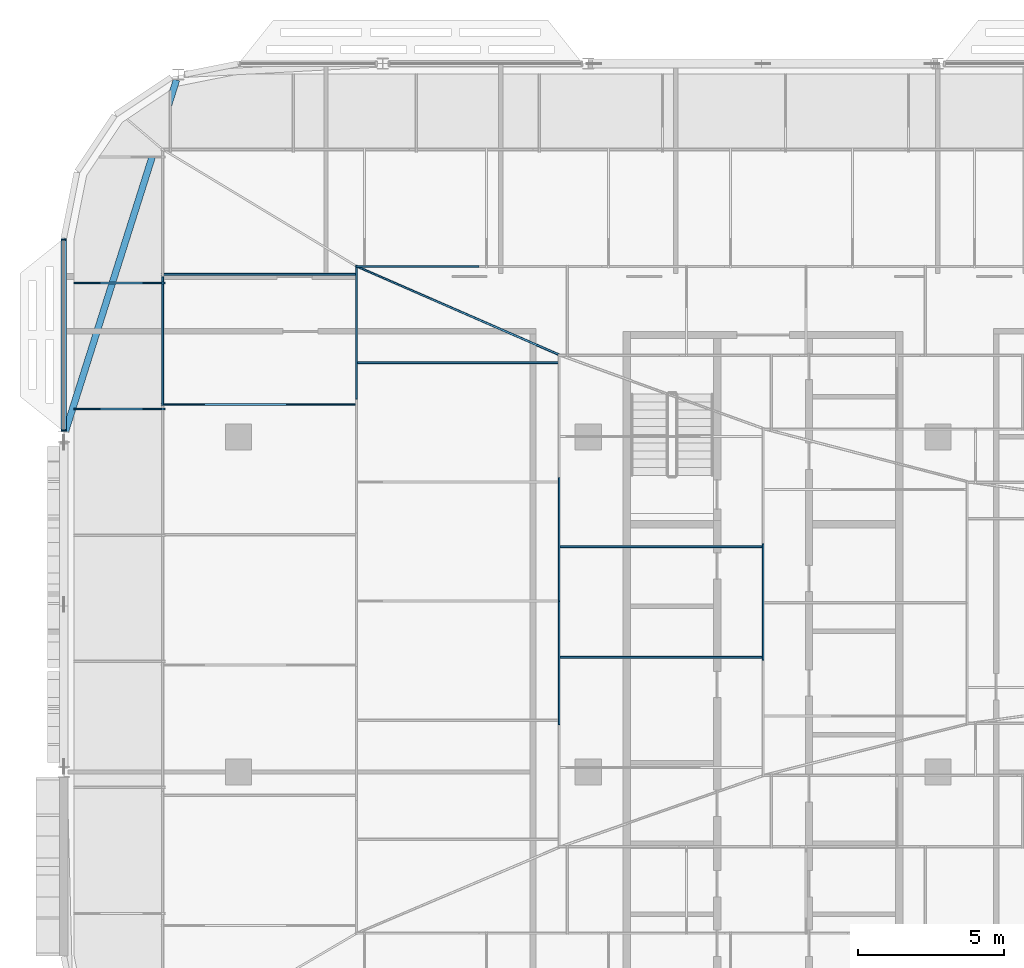
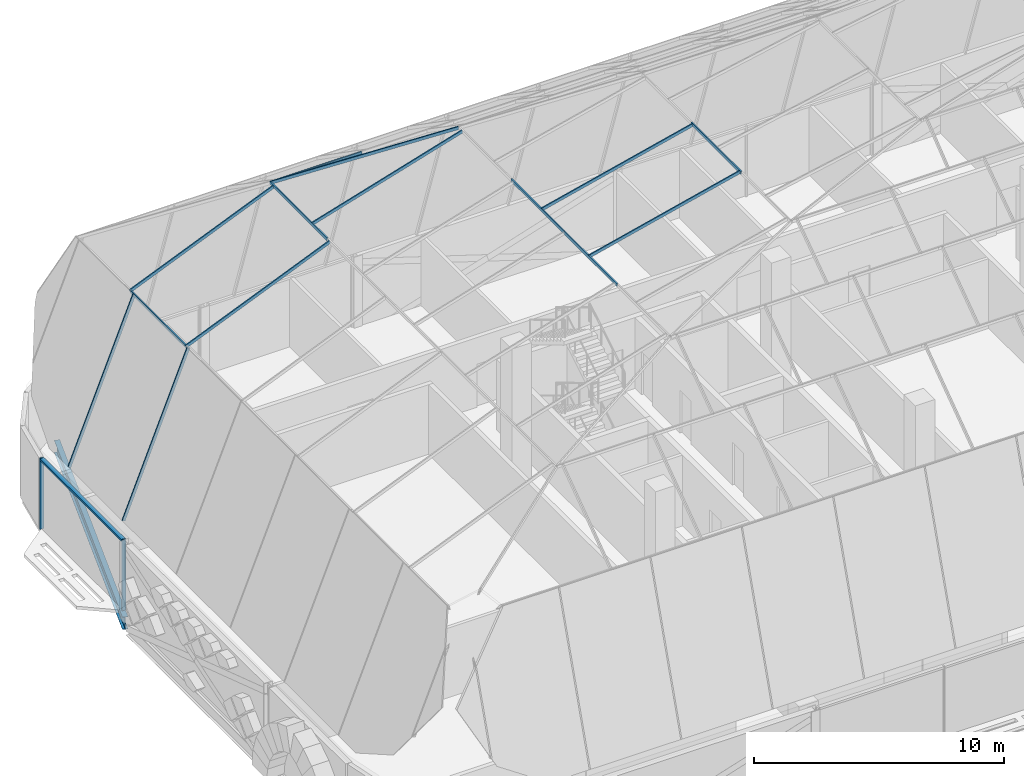
# One storey, part 7 of 39: 17 members, 1 beam, 7 elements without a shape of their own.
"""IFC4 building model written with IfcOpenShell, lengths in metres."""

from ifc_helpers import new_model, si_unit, direction, frame, origin, origin_2d, place, context, subcontext, project, spatial, rectangle, i_section, extrude, material, material_profile, profile_set, type_object, element, aggregate, save


model = new_model("IFC4")

# Units and contexts
model_context = context("Model", 3, precision=1e-05, world=origin(), true_north=direction((0.0, 1.0)))
body_context = subcontext(model_context, "Body", "Model", "MODEL_VIEW")
ifc_project = project(units=[si_unit("LENGTHUNIT", "METRE"), si_unit("AREAUNIT", "SQUARE_METRE"), si_unit("VOLUMEUNIT", "CUBIC_METRE"), si_unit("PLANEANGLEUNIT", "RADIAN"), si_unit("MASSUNIT", "GRAM", prefix="KILO")], contexts=[model_context])

# Site, building, storey
site_placement = place(None, origin())
site = spatial("IfcSite", under=ifc_project, at=site_placement, CompositionType="ELEMENT")
building_placement = place(site_placement, origin())
building = spatial("IfcBuilding", under=site, at=building_placement, Name="Mahtab Terrace Research Tower", CompositionType="ELEMENT")
storey_placement = place(building_placement, frame((0.0, 0.0, 282.300048828125)))
storey = spatial("IfcBuildingStorey", under=building, at=storey_placement, Name="L69", CompositionType="ELEMENT", Elevation=282.300048828125)

# Curtain wall, members
ifc_material_1 = material(Name="Crown faceted glass roof")
curtain_wall_type_1 = type_object("IfcCurtainWallType", Name="Crown faceted glass roof", PredefinedType="NOTDEFINED", material=ifc_material_1)
curtain_wall_1_placement = place(storey_placement, origin())
curtain_wall_1 = element("IfcCurtainWall", 1, at=curtain_wall_1_placement, inside=storey, type_object=curtain_wall_type_1, Name="CROWN.W0", PredefinedType="NOTDEFINED")
ifc_material_2 = material(Name="Natural anodised aluminium", Category="aluminium")
ifc_material_profile_1 = material_profile(ifc_material_2, rectangle(XDim=0.06005859375, YDim=0.139892578125, at=origin_2d()), Name="MULLION 60x140")
ifc_profile_set_1 = profile_set([ifc_material_profile_1], Name="Natural anodised aluminium")
member_type_1 = type_object("IfcMemberType", Name="Crown faceted glass roof mullion", PredefinedType="MULLION", material=ifc_profile_set_1)
member_1_placement = place(storey_placement, frame((-47.585205078125, 12.454833984375, 3.773681640625), z_axis=(0.375919413042, 0.0, 0.926652359247), x_axis=(0.0, 1.0, 0.0)))
member_1 = element("IfcMember", 2, at=member_1_placement, type_object=member_type_1, Name="CWC-W1 mullion 6", PredefinedType="MULLION", context=body_context, shape_type="SweptSolid", body=[
    extrude(rectangle(XDim=0.06005859375, YDim=0.139892578125, at=origin_2d()), origin(), (0.0, 0.0, 1.0), 7.985595703125),
])
member_2_placement = place(storey_placement, frame((-47.585205078125, 16.781494140625, 3.773681640625), z_axis=(0.375919413042, 0.0, 0.926652359247), x_axis=(0.0, 1.0, 0.0)))
member_2 = element("IfcMember", 3, at=member_2_placement, type_object=member_type_1, Name="CWC-W1 mullion 7", PredefinedType="MULLION", context=body_context, shape_type="SweptSolid", body=[
    extrude(rectangle(XDim=0.06005859375, YDim=0.139892578125, at=origin_2d()), origin(), (0.0, 0.0, 1.0), 7.985595703125),
])
aggregate(curtain_wall_1, [member_1, member_2])

curtain_wall_2_placement = place(storey_placement, origin())
curtain_wall_2 = element("IfcCurtainWall", 4, at=curtain_wall_2_placement, inside=storey, type_object=curtain_wall_type_1, Name="CROWN.W1", PredefinedType="NOTDEFINED")
member_3_placement = place(storey_placement, frame((-44.62109375, 12.614501953125, 11.135498046875), z_axis=(0.922072437217, 0.0, 0.38701733879), x_axis=(0.0, 1.0, 0.0)))
member_3 = element("IfcMember", 5, at=member_3_placement, type_object=member_type_1, Name="CWC-W2 mullion 5", PredefinedType="MULLION", context=body_context, shape_type="SweptSolid", body=[
    extrude(rectangle(XDim=0.06005859375, YDim=0.139892578125, at=origin_2d()), origin(), (0.0, 0.0, 1.0), 7.23486328125),
])
member_4_placement = place(storey_placement, frame((-44.62109375, 17.084228515625, 11.135498046875), z_axis=(0.922072437217, 0.0, 0.38701733879), x_axis=(0.0, 1.0, 0.0)))
member_4 = element("IfcMember", 6, at=member_4_placement, type_object=member_type_1, Name="CWC-W2 mullion 6", PredefinedType="MULLION", context=body_context, shape_type="SweptSolid", body=[
    extrude(rectangle(XDim=0.06005859375, YDim=0.139892578125, at=origin_2d()), origin(), (0.0, 0.0, 1.0), 7.23486328125),
])

# Curtain wall, member
curtain_wall_3_placement = place(storey_placement, origin())
curtain_wall_3 = element("IfcCurtainWall", 7, at=curtain_wall_3_placement, inside=storey, type_object=curtain_wall_type_1, Name="CROWN.W2", PredefinedType="NOTDEFINED")
member_5_placement = place(storey_placement, frame((-37.956787109375, 14.043701171875, 13.932861328125), z_axis=(0.957330166086, 0.0, 0.28899645863), x_axis=(0.0, 1.0, 0.0)))
member_5 = element("IfcMember", 8, at=member_5_placement, type_object=member_type_1, Name="CWC-W3 mullion 5", PredefinedType="MULLION", context=body_context, shape_type="SweptSolid", body=[
    extrude(rectangle(XDim=0.06005859375, YDim=0.139892578125, at=origin_2d()), origin(), (0.0, 0.0, 1.0), 7.266845703125),
])

# Curtain wall, members
curtain_wall_4_placement = place(storey_placement, origin())
curtain_wall_4 = element("IfcCurtainWall", 9, at=curtain_wall_4_placement, inside=storey, type_object=curtain_wall_type_1, Name="CROWN.W3", PredefinedType="NOTDEFINED")
member_6_placement = place(storey_placement, frame((-31.003662109375, 3.93994140625, 16.031982421875), z_axis=(0.971791087506, 0.0, 0.235843342592), x_axis=(0.0, 1.0, 0.0)))
member_6 = element("IfcMember", 10, at=member_6_placement, type_object=member_type_1, Name="CWC-W4 mullion 2", PredefinedType="MULLION", context=body_context, shape_type="SweptSolid", body=[
    extrude(rectangle(XDim=0.06005859375, YDim=0.139892578125, at=origin_2d()), origin(), (0.0, 0.0, 1.0), 7.2080078125),
])
member_7_placement = place(storey_placement, frame((-31.003662109375, 7.7265625, 16.031982421875), z_axis=(0.971791087506, 0.0, 0.235843342592), x_axis=(0.0, 1.0, 0.0)))
member_7 = element("IfcMember", 11, at=member_7_placement, type_object=member_type_1, Name="CWC-W4 mullion 3", PredefinedType="MULLION", context=body_context, shape_type="SweptSolid", body=[
    extrude(rectangle(XDim=0.06005859375, YDim=0.139892578125, at=origin_2d()), origin(), (0.0, 0.0, 1.0), 7.2080078125),
])

curtain_wall_5_placement = place(storey_placement, origin())
curtain_wall_5 = element("IfcCurtainWall", 12, at=curtain_wall_5_placement, inside=storey, type_object=curtain_wall_type_1, Name="CROWN.N2", PredefinedType="NOTDEFINED")
member_8_placement = place(storey_placement, frame((-37.96630859375, 17.36328125, 13.93408203125), z_axis=(0.883149133651, -0.385988394823, 0.266571879225), x_axis=(0.400479737724, 0.916305614777, 0.0)))
member_8 = element("IfcMember", 13, at=member_8_placement, type_object=member_type_1, Name="CWC hip NW 3", PredefinedType="MULLION", context=body_context, shape_type="SweptSolid", body=[
    extrude(rectangle(XDim=0.06005859375, YDim=0.139892578125, at=origin_2d()), origin(), (0.0, 0.0, 1.0), 7.877197265625),
])
ifc_material_profile_2 = material_profile(ifc_material_2, rectangle(XDim=0.06005859375, YDim=0.139892578125, at=origin_2d()), Name="TRANSOM 60x140")
ifc_profile_set_2 = profile_set([ifc_material_profile_2], Name="Natural anodised aluminium")
member_type_2 = type_object("IfcMemberType", Name="Crown faceted glass roof transom", PredefinedType="USERDEFINED", material=ifc_profile_set_2)
member_9_placement = place(storey_placement, frame((-37.97705078125, 17.344482421875, 13.9423828125), z_axis=(1.0, 0.0, 0.0), x_axis=(0.0, 1.0, 0.0)))
member_9 = element("IfcMember", 14, at=member_9_placement, type_object=member_type_2, Name="CWC-N3 transom 1", ObjectType="TRANSOM", PredefinedType="USERDEFINED", context=body_context, shape_type="SweptSolid", body=[
    extrude(rectangle(XDim=0.06005859375, YDim=0.139892578125, at=origin_2d()), origin(), (0.0, 0.0, 1.0), 4.2197265625),
])
aggregate(curtain_wall_5, [member_9, member_8])

# Member
member_10_placement = place(storey_placement, frame((-44.598388671875, 12.58349609375, 11.150634765625), z_axis=(0.0, 1.0, 0.0), x_axis=(-1.0, 0.0, 0.0)))
member_10 = element("IfcMember", 15, at=member_10_placement, type_object=member_type_2, Name="CWC-W2 transom 6", ObjectType="TRANSOM", PredefinedType="USERDEFINED", context=body_context, shape_type="SweptSolid", body=[
    extrude(rectangle(XDim=0.06005859375, YDim=0.139892578125, at=origin_2d()), origin(), (0.0, 0.0, 1.0), 4.412109375),
])

aggregate(curtain_wall_2, [member_3, member_4, member_10])

member_11_placement = place(storey_placement, frame((-37.953369140625, 12.79443359375, 13.93408203125), z_axis=(0.0, 1.0, 0.0), x_axis=(-1.0, 0.0, 0.0)))
member_11 = element("IfcMember", 16, at=member_11_placement, type_object=member_type_2, Name="CWC-W3 transom 5", ObjectType="TRANSOM", PredefinedType="USERDEFINED", context=body_context, shape_type="SweptSolid", body=[
    extrude(rectangle(XDim=0.06005859375, YDim=0.139892578125, at=origin_2d()), origin(), (0.0, 0.0, 1.0), 4.58984375),
])

aggregate(curtain_wall_3, [member_5, member_11])

member_12_placement = place(storey_placement, frame((-31.001708984375, 1.630126953125, 16.032470703125), z_axis=(0.0, 1.0, 0.0), x_axis=(-1.0, 0.0, 0.0)))
member_12 = element("IfcMember", 17, at=member_12_placement, type_object=member_type_2, Name="CWC-W4 transom 2", ObjectType="TRANSOM", PredefinedType="USERDEFINED", context=body_context, shape_type="SweptSolid", body=[
    extrude(rectangle(XDim=0.06005859375, YDim=0.139892578125, at=origin_2d()), origin(), (0.0, 0.0, 1.0), 4.23779296875),
])

member_13_placement = place(storey_placement, frame((-31.001708984375, 5.867919921875, 16.032470703125), z_axis=(0.0, 1.0, 0.0), x_axis=(-1.0, 0.0, 0.0)))
member_13 = element("IfcMember", 18, at=member_13_placement, type_object=member_type_2, Name="CWC-W4 transom 3", ObjectType="TRANSOM", PredefinedType="USERDEFINED", context=body_context, shape_type="SweptSolid", body=[
    extrude(rectangle(XDim=0.06005859375, YDim=0.139892578125, at=origin_2d()), origin(), (0.0, 0.0, 1.0), 4.238037109375),
])

aggregate(curtain_wall_4, [member_6, member_7, member_12, member_13])

# Curtain wall, member
curtain_wall_6_placement = place(storey_placement, origin())
curtain_wall_6 = element("IfcCurtainWall", 19, at=curtain_wall_6_placement, inside=storey, type_object=curtain_wall_type_1, Name="CROWN.W4", PredefinedType="NOTDEFINED")
member_14_placement = place(storey_placement, frame((-24.00048828125, 3.840087890625, 17.731689453125), z_axis=(0.0, 1.0, 0.0), x_axis=(-1.0, 0.0, 0.0)))
member_14 = element("IfcMember", 20, at=member_14_placement, type_object=member_type_2, Name="CWC-W5 transom 2", ObjectType="TRANSOM", PredefinedType="USERDEFINED", context=body_context, shape_type="SweptSolid", body=[
    extrude(rectangle(XDim=0.06005859375, YDim=0.139892578125, at=origin_2d()), origin(), (0.0, 0.0, 1.0), 3.986328125),
])
aggregate(curtain_wall_6, [member_14])

# Curtain wall, members
ifc_material_3 = material(Name="Office ribbon curtain wall")
curtain_wall_type_2 = type_object("IfcCurtainWallType", Name="Office ribbon curtain wall", PredefinedType="NOTDEFINED", material=ifc_material_3)
curtain_wall_7_placement = place(storey_placement, origin())
curtain_wall_7 = element("IfcCurtainWall", 21, at=curtain_wall_7_placement, inside=storey, type_object=curtain_wall_type_2, Name="EN.L69.8.15", PredefinedType="NOTDEFINED")
ifc_material_profile_3 = material_profile(ifc_material_2, rectangle(XDim=0.179931640625, YDim=0.06005859375, at=origin_2d()), Name="MULLION 60x180")
ifc_profile_set_3 = profile_set([ifc_material_profile_3], Name="Natural anodised aluminium")
member_type_3 = type_object("IfcMemberType", Name="Office ribbon curtain wall mullion", PredefinedType="MULLION", material=ifc_profile_set_3)
member_15_placement = place(storey_placement, frame((-48.0, 18.277099609375, 0.0), z_axis=(0.0, 0.0, 1.0), x_axis=(1.0, 0.0, 0.0)))
member_15 = element("IfcMember", 22, at=member_15_placement, type_object=member_type_3, Name="CWO-8 mullion 1", PredefinedType="MULLION", context=body_context, shape_type="SweptSolid", body=[
    extrude(rectangle(XDim=0.179931640625, YDim=0.06005859375, at=origin_2d()), origin(), (0.0, 0.0, 1.0), 3.4599609375),
])
member_16_placement = place(storey_placement, frame((-48.0, 11.718017578125, 0.0), z_axis=(0.0, 0.0, 1.0), x_axis=(1.0, 0.0, 0.0)))
member_16 = element("IfcMember", 23, at=member_16_placement, type_object=member_type_3, Name="CWO-8 mullion 2", PredefinedType="MULLION", context=body_context, shape_type="SweptSolid", body=[
    extrude(rectangle(XDim=0.179931640625, YDim=0.06005859375, at=origin_2d()), origin(), (0.0, 0.0, 1.0), 3.4599609375),
])
ifc_material_profile_4 = material_profile(ifc_material_2, rectangle(XDim=0.179931640625, YDim=0.10009765625, at=origin_2d()), Name="TRANSOM 100x180")
ifc_profile_set_4 = profile_set([ifc_material_profile_4], Name="Natural anodised aluminium")
member_type_4 = type_object("IfcMemberType", Name="Office ribbon curtain wall transom", PredefinedType="USERDEFINED", material=ifc_profile_set_4)
member_17_placement = place(storey_placement, frame((-48.0, 18.2470703125, 3.409912109375), z_axis=(0.0, -1.0, 0.0), x_axis=(1.0, 0.0, 0.0)))
member_17 = element("IfcMember", 24, at=member_17_placement, type_object=member_type_4, Name="CWO-8 transom 1", ObjectType="TRANSOM", PredefinedType="USERDEFINED", context=body_context, shape_type="SweptSolid", body=[
    extrude(rectangle(XDim=0.179931640625, YDim=0.10009765625, at=origin_2d()), origin(), (0.0, 0.0, 1.0), 6.4990234375),
])
aggregate(curtain_wall_7, [member_15, member_16, member_17])

# Beam
ifc_material_4 = material(Name="Steel ASTM A992 Gr 50", Category="steel")
ifc_material_profile_5 = material_profile(ifc_material_4, i_section(OverallWidth=0.228271484375, OverallDepth=0.607177734375, WebThickness=0.01123046875, FlangeThickness=0.017333984375, at=origin_2d()), Name="W24X76")
ifc_profile_set_5 = profile_set([ifc_material_profile_5], Name="Steel ASTM A992 Gr 50")
beam_type = type_object("IfcBeamType", Name="W24x76 beam BS2476", PredefinedType="BEAM", material=ifc_profile_set_5)
beam_placement = place(storey_placement, frame((-44.13134765625, 23.7490234375, -0.6435546875), z_axis=(-0.301172937978, -0.953569536756, 0.0), x_axis=(0.953569536756, -0.301172937978, 0.0)))
element("IfcBeam", 25, at=beam_placement, inside=storey, type_object=beam_type, Name="Spandrel beam L69 10", PredefinedType="BEAM", context=body_context, shape_type="SweptSolid", body=[
    extrude(i_section(OverallWidth=0.228271484375, OverallDepth=0.607177734375, WebThickness=0.01123046875, FlangeThickness=0.017333984375, at=origin_2d()), origin(), (0.0, 0.0, 1.0), 12.648193359375),
])

save(model, "model.ifc")
